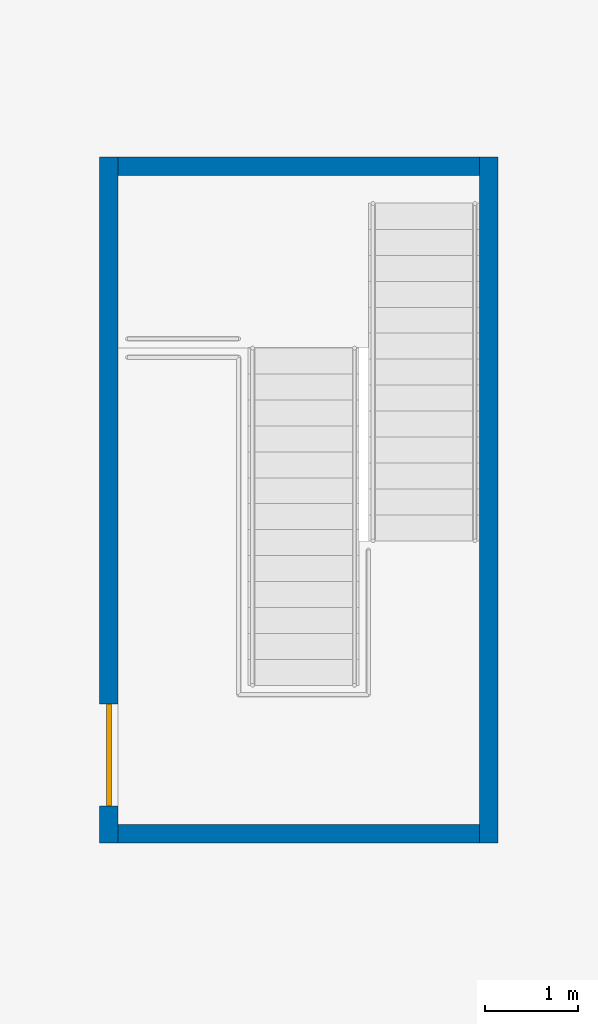
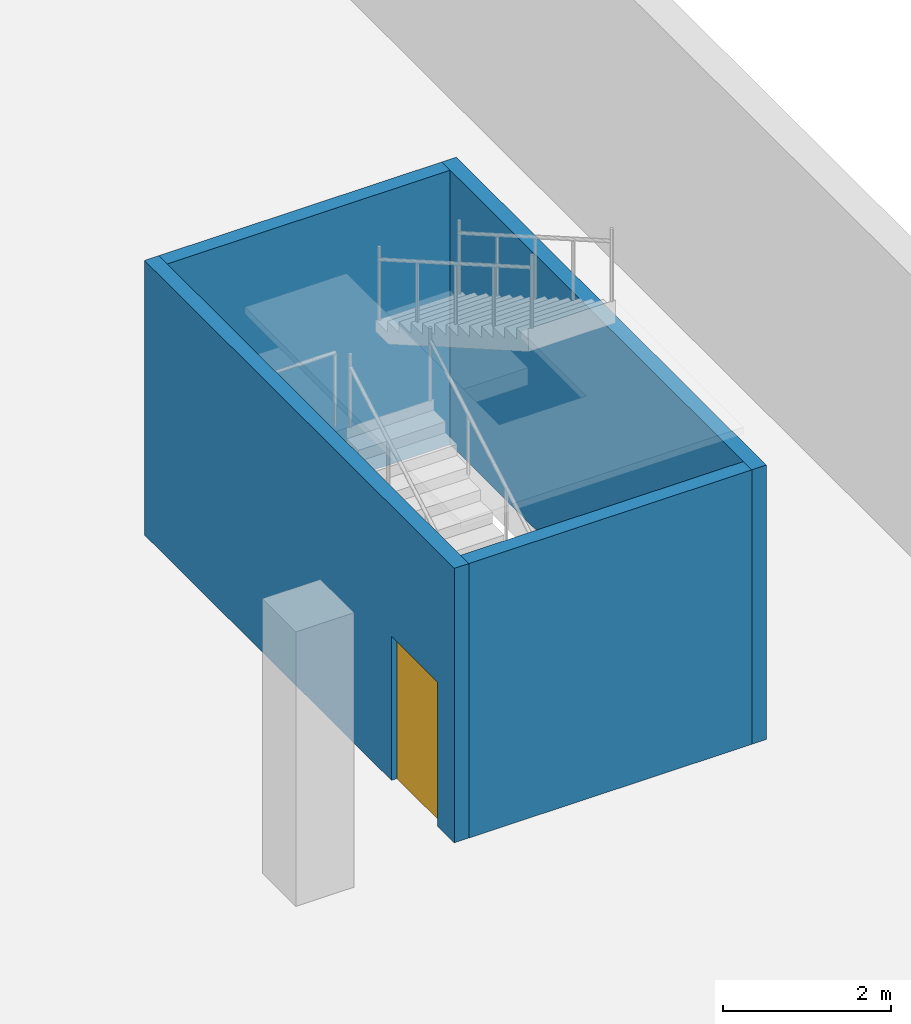
# One storey, part 8 of 19: 4 walls, 1 door, 1 opening.
"""IFC4 building model written with IfcOpenShell, lengths in metres."""

from ifc_helpers import new_model, si_unit, direction, frame, frame_2d, origin, place, context, subcontext, project, spatial, rectangle, extrude, material, layer, layer_set, type_object, element, fill, save


model = new_model("IFC4")

# Units and contexts
model_context = context("Model", 3, precision=1e-05, world=origin(), true_north=direction((0.0, 1.0)))
body_context = subcontext(model_context, "Body", "Model", "MODEL_VIEW")
ifc_project = project(units=[si_unit("LENGTHUNIT", "METRE"), si_unit("AREAUNIT", "SQUARE_METRE"), si_unit("VOLUMEUNIT", "CUBIC_METRE"), si_unit("PLANEANGLEUNIT", "RADIAN"), si_unit("MASSUNIT", "GRAM", prefix="KILO")], contexts=[model_context])

# Site, building, storey
site_placement = place(None, origin())
site = spatial("IfcSite", under=ifc_project, at=site_placement, CompositionType="ELEMENT")
building_placement = place(site_placement, origin())
building = spatial("IfcBuilding", under=site, at=building_placement, Name="Qaws Garden Tower", CompositionType="ELEMENT")
storey_placement = place(building_placement, frame((0.0, 0.0, -4.5)))
storey = spatial("IfcBuildingStorey", under=building, at=storey_placement, Name="B1", CompositionType="ELEMENT", Elevation=-4.5)

# Wall, opening, door
ifc_material_1 = material(Name="Concrete C40", Category="concrete")
ifc_layer = layer(ifc_material_1, 0.199951171875)
ifc_layer_set = layer_set([ifc_layer], Name="Concrete C40")
wall_type = type_object("IfcWallType", Name="Stair enclosure wall 200", PredefinedType="SOLIDWALL", material=ifc_layer_set)
wall_1_placement = place(storey_placement, frame((102.0, 39.800048828125, 0.0), z_axis=(0.0, 0.0, 1.0), x_axis=(0.0, 1.0, 0.0)))
wall_1 = element("IfcWall", 1, at=wall_1_placement, inside=storey, type_object=wall_type, Name="Stair E1 enclosure wall", PredefinedType="SOLIDWALL", context=body_context, shape_type="SweptSolid", body=[
    extrude(rectangle(XDim=7.39990234375, YDim=0.199951171875, at=frame_2d((3.699951171875, 0.0))), origin(), (0.0, 0.0, 1.0), 4.0),
])
opening_placement = place(wall_1_placement, frame((0.39990234375, 0.0, 0.0)))
opening = element("IfcOpeningElement", 2, at=opening_placement, cuts=wall_1, Name="Opening PD4-03", PredefinedType="OPENING", context=body_context, shape_type="SweptSolid", body=[
    extrude(rectangle(XDim=1.10009765625, YDim=2.10009765625, at=frame_2d((0.550048828125, 1.050048828125))), frame((0.0, 0.10986328125, 0.0), z_axis=(0.0, -1.0, 0.0), x_axis=(1.0, 0.0, 0.0)), (0.0, 0.0, 1.0), 0.219970703125),
])
ifc_material_2 = material(Name="Steel S235 framed door leaf", Category="steel")
door_type = type_object("IfcDoorType", Name="Door D4 fire stair 1100", OperationType="SINGLE_SWING_LEFT", PredefinedType="DOOR", material=ifc_material_2)
door_placement = place(opening_placement, origin())
door = element("IfcDoor", 3, at=door_placement, inside=storey, type_object=door_type, Name="Exit stair door", OperationType="SINGLE_SWING_LEFT", OverallHeight=2.10009765625, OverallWidth=1.10009765625, PredefinedType="DOOR", context=body_context, shape_type="SweptSolid", body=[
    extrude(rectangle(XDim=1.10009765625, YDim=2.10009765625, at=frame_2d((0.550048828125, 1.050048828125))), frame((0.0, 0.02490234375, 0.0), z_axis=(0.0, -1.0, 0.0), x_axis=(1.0, 0.0, 0.0)), (0.0, 0.0, 1.0), 0.050048828125),
])
fill(opening, door)

# Walls
wall_2_placement = place(storey_placement, frame((106.10009765625, 39.800048828125, 0.0), z_axis=(0.0, 0.0, 1.0), x_axis=(0.0, 1.0, 0.0)))
element("IfcWall", 4, at=wall_2_placement, inside=storey, type_object=wall_type, Name="Stair E1 enclosure wall", PredefinedType="SOLIDWALL", context=body_context, shape_type="SweptSolid", body=[
    extrude(rectangle(XDim=7.39990234375, YDim=0.199951171875, at=frame_2d((3.699951171875, 0.0))), origin(), (0.0, 0.0, 1.0), 4.0),
])
for number, where, z_axis, x_axis, name in (
    (5, (102.10009765625, 39.89990234375, 0.0), (0.0, 0.0, 1.0), (1.0, 0.0, 0.0), "Stair E1 enclosure wall"),
    (6, (102.10009765625, 47.10009765625, 0.0), (0.0, 0.0, 1.0), (1.0, 0.0, 0.0), "Stair E1 enclosure wall"),
):
    element("IfcWall", number, at=place(storey_placement, frame(where, z_axis=z_axis, x_axis=x_axis)), inside=storey, type_object=wall_type, Name=name, PredefinedType="SOLIDWALL", context=body_context, shape_type="SweptSolid", body=[
        extrude(rectangle(XDim=3.89990234375, YDim=0.199951171875, at=frame_2d((1.949951171875, 0.0))), origin(), (0.0, 0.0, 1.0), 4.0),
    ])

save(model, "model.ifc")
